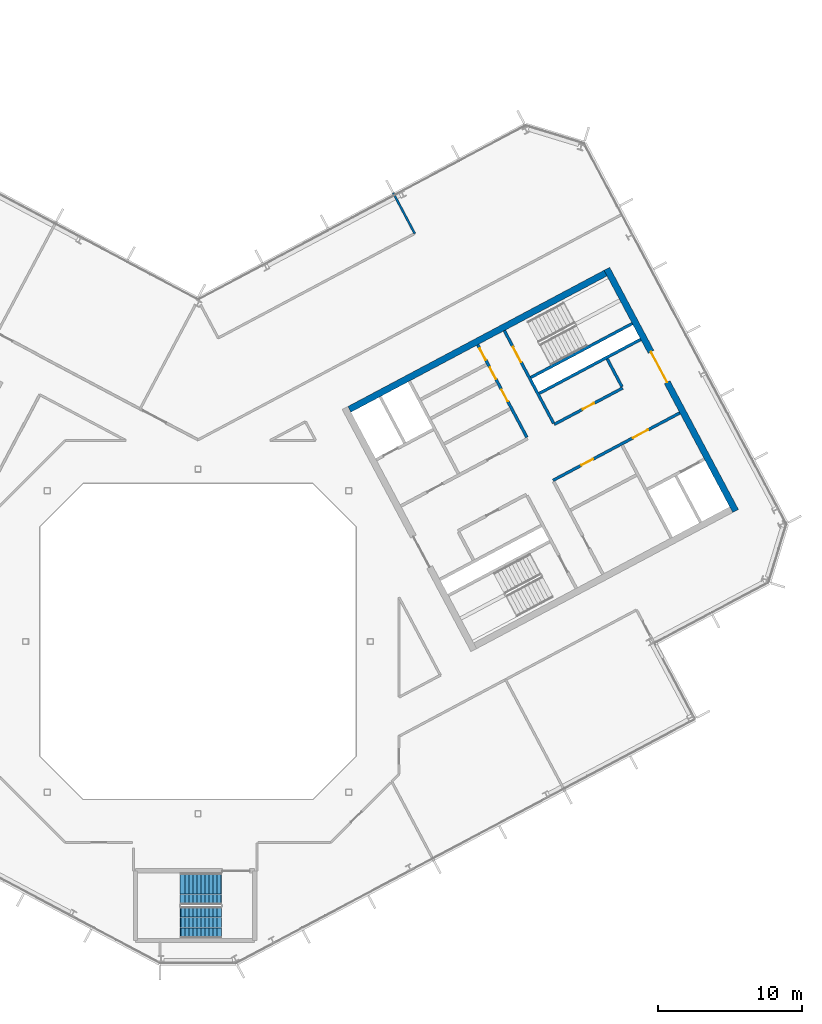
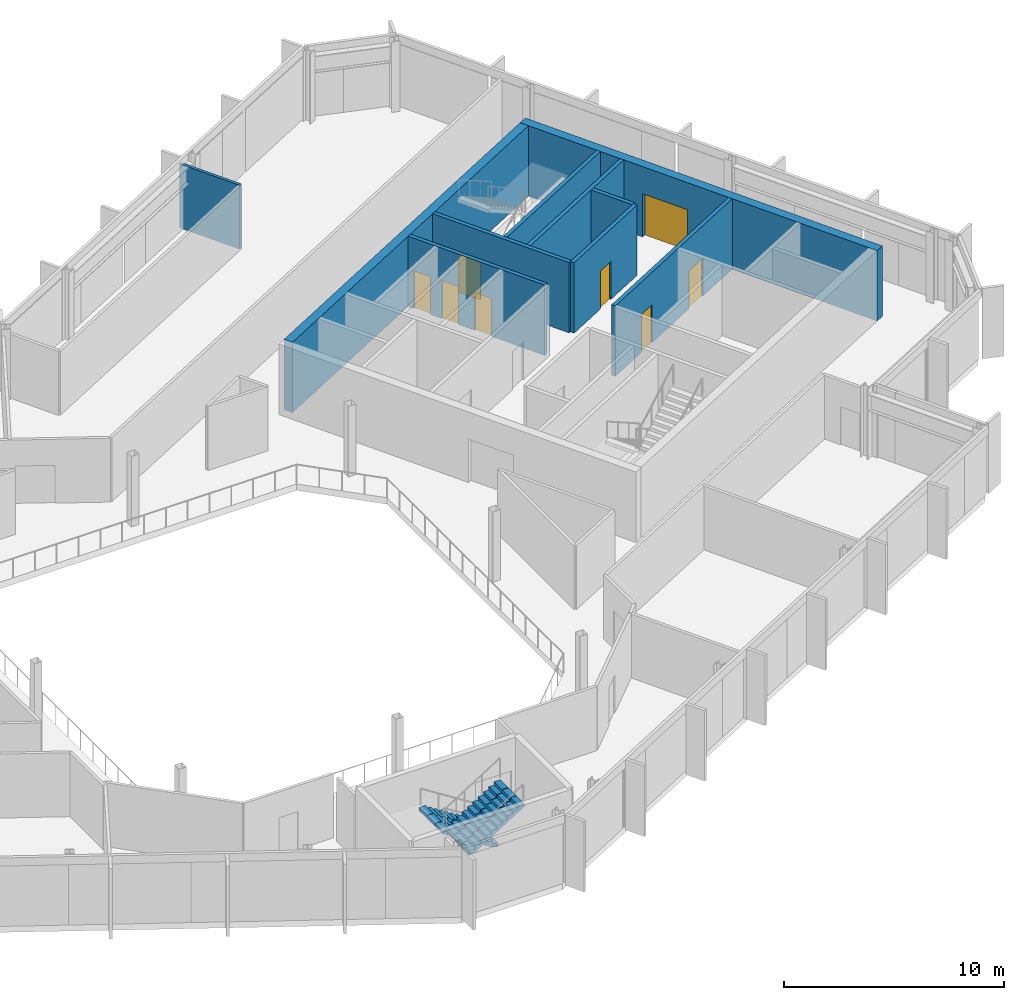
# One storey, part 17 of 26: 10 walls, 8 doors, 2 stair flights, 8 openings, 1 element without a shape of its own.
"""IFC4 building model written with IfcOpenShell, lengths in metres."""

from ifc_helpers import new_model, si_unit, direction, frame, frame_2d, origin, place, context, subcontext, project, spatial, polyline, rectangle, outline, extrude, material, layer, layer_set, type_object, element, fill, aggregate, save


model = new_model("IFC4")

# Units and contexts
model_context = context("Model", 3, precision=1e-05, world=origin(), true_north=direction((0.0, 1.0)))
body_context = subcontext(model_context, "Body", "Model", "MODEL_VIEW")
ifc_project = project(units=[si_unit("LENGTHUNIT", "METRE"), si_unit("AREAUNIT", "SQUARE_METRE"), si_unit("VOLUMEUNIT", "CUBIC_METRE"), si_unit("PLANEANGLEUNIT", "RADIAN"), si_unit("MASSUNIT", "GRAM", prefix="KILO")], contexts=[model_context])

# Site, building, storey
site_placement = place(None, origin())
site = spatial("IfcSite", under=ifc_project, at=site_placement, CompositionType="ELEMENT")
building_placement = place(site_placement, origin())
building = spatial("IfcBuilding", under=site, at=building_placement, Name="Cormorant Relay Tower", CompositionType="ELEMENT")
storey_placement = place(building_placement, frame((0.0, 0.0, 261.89990234375)))
storey = spatial("IfcBuildingStorey", under=building, at=storey_placement, Name="L58", CompositionType="ELEMENT", Elevation=261.89990234375)

# Wall, openings, doors
ifc_material_1 = material(Name="Concrete 50 MPa", Category="concrete")
ifc_layer_1 = layer(ifc_material_1, 0.199951171875)
ifc_layer_set_1 = layer_set([ifc_layer_1], Name="Core shaft wall 200")
wall_type_1 = type_object("IfcWallType", Name="Core shaft wall 200", PredefinedType="SHEAR", material=ifc_layer_set_1)
wall_1_placement = place(storey_placement, frame((22.90625, 14.218017578125, 0.0), z_axis=(0.0, 0.0, 1.0), x_axis=(-0.469480409012, 0.88294288918, 0.0)))
wall_1 = element("IfcWall", 1, at=wall_1_placement, inside=storey, type_object=wall_type_1, Name="L58 core B shaft wall", PredefinedType="SHEAR", context=body_context, shape_type="SweptSolid", body=[
    extrude(rectangle(XDim=7.300048828125, YDim=0.199951171875, at=frame_2d((3.64990234375, 0.0))), origin(), (0.0, 0.0, 1.0), 3.900146484375),
])
opening_1_placement = place(wall_1_placement, frame((2.85009765625, 0.0, 0.0)))
opening_1 = element("IfcOpeningElement", 2, at=opening_1_placement, cuts=wall_1, Name="Opening CDD-299", PredefinedType="OPENING", context=body_context, shape_type="SweptSolid", body=[
    extrude(rectangle(XDim=0.89990234375, YDim=2.10009765625, at=frame_2d((0.449951171875, 1.050048828125))), frame((0.0, 0.10986328125, 0.0), z_axis=(0.0, -1.0, 0.0), x_axis=(1.0, 0.0, 0.0)), (0.0, 0.0, 1.0), 0.219970703125),
])
opening_2_placement = place(wall_1_placement, frame((4.60009765625, 0.0, 0.0)))
opening_2 = element("IfcOpeningElement", 3, at=opening_2_placement, cuts=wall_1, Name="Opening CDD-300", PredefinedType="OPENING", context=body_context, shape_type="SweptSolid", body=[
    extrude(rectangle(XDim=0.89990234375, YDim=2.10009765625, at=frame_2d((0.449951171875, 1.050048828125))), frame((0.0, 0.10986328125, 0.0), z_axis=(0.0, -1.0, 0.0), x_axis=(1.0, 0.0, 0.0)), (0.0, 0.0, 1.0), 0.219970703125),
])
opening_3_placement = place(wall_1_placement, frame((6.10009765625, 0.0, 0.0)))
opening_3 = element("IfcOpeningElement", 4, at=opening_3_placement, cuts=wall_1, Name="Opening CDD-301", PredefinedType="OPENING", context=body_context, shape_type="SweptSolid", body=[
    extrude(rectangle(XDim=0.89990234375, YDim=2.10009765625, at=frame_2d((0.449951171875, 1.050048828125))), frame((0.0, 0.10986328125, 0.0), z_axis=(0.0, -1.0, 0.0), x_axis=(1.0, 0.0, 0.0)), (0.0, 0.0, 1.0), 0.219970703125),
])
ifc_material_2 = material(Name="Steel fire door", Category="steel")
door_type_1 = type_object("IfcDoorType", Name="Core room door 900x2100", OperationType="SINGLE_SWING_LEFT", PredefinedType="DOOR", material=ifc_material_2)
door_1_placement = place(opening_1_placement, origin())
door_1 = element("IfcDoor", 5, at=door_1_placement, inside=storey, type_object=door_type_1, Name="Core room door 900x2100", OperationType="SINGLE_SWING_RIGHT", OverallHeight=2.10009765625, OverallWidth=0.89990234375, PredefinedType="DOOR", context=body_context, shape_type="SweptSolid", body=[
    extrude(rectangle(XDim=0.89990234375, YDim=2.10009765625, at=frame_2d((0.449951171875, 1.050048828125))), frame((0.0, 0.02490234375, 0.0), z_axis=(0.0, -1.0, 0.0), x_axis=(1.0, 0.0, 0.0)), (0.0, 0.0, 1.0), 0.050048828125),
])
fill(opening_1, door_1)
door_2_placement = place(opening_2_placement, origin())
door_2 = element("IfcDoor", 6, at=door_2_placement, inside=storey, type_object=door_type_1, Name="Core room door 900x2100", OperationType="SINGLE_SWING_LEFT", OverallHeight=2.10009765625, OverallWidth=0.89990234375, PredefinedType="DOOR", context=body_context, shape_type="SweptSolid", body=[
    extrude(rectangle(XDim=0.89990234375, YDim=2.10009765625, at=frame_2d((0.449951171875, 1.050048828125))), frame((0.0, 0.02490234375, 0.0), z_axis=(0.0, -1.0, 0.0), x_axis=(1.0, 0.0, 0.0)), (0.0, 0.0, 1.0), 0.050048828125),
])
fill(opening_2, door_2)
door_3_placement = place(opening_3_placement, origin())
door_3 = element("IfcDoor", 7, at=door_3_placement, inside=storey, type_object=door_type_1, Name="Core room door 900x2100", OperationType="SINGLE_SWING_LEFT", OverallHeight=2.10009765625, OverallWidth=0.89990234375, PredefinedType="DOOR", context=body_context, shape_type="SweptSolid", body=[
    extrude(rectangle(XDim=0.89990234375, YDim=2.10009765625, at=frame_2d((0.449951171875, 1.050048828125))), frame((0.0, 0.02490234375, 0.0), z_axis=(0.0, -1.0, 0.0), x_axis=(1.0, 0.0, 0.0)), (0.0, 0.0, 1.0), 0.050048828125),
])
fill(opening_3, door_3)

# Wall, opening, door
wall_2_placement = place(storey_placement, frame((24.760498046875, 15.2041015625, 0.0), z_axis=(0.0, 0.0, 1.0), x_axis=(-0.469494272526, 0.882935517501, 0.0)))
wall_2 = element("IfcWall", 8, at=wall_2_placement, inside=storey, type_object=wall_type_1, Name="L58 core B shaft wall", PredefinedType="SHEAR", context=body_context, shape_type="SweptSolid", body=[
    extrude(rectangle(XDim=7.2998046875, YDim=0.199951171875, at=frame_2d((3.64990234375, 0.0))), origin(), (0.0, 0.0, 1.0), 3.900146484375),
])
opening_4_placement = place(wall_2_placement, frame((4.800048828125, 0.0, 0.0)))
opening_4 = element("IfcOpeningElement", 9, at=opening_4_placement, cuts=wall_2, Name="Opening CDB-041", PredefinedType="OPENING", context=body_context, shape_type="SweptSolid", body=[
    extrude(rectangle(XDim=1.199951171875, YDim=2.10009765625, at=frame_2d((0.60009765625, 1.050048828125))), frame((0.0, 0.10986328125, 0.0), z_axis=(0.0, -1.0, 0.0), x_axis=(1.0, 0.0, 0.0)), (0.0, 0.0, 1.0), 0.219970703125),
])
ifc_material_3 = material(Name="Steel fire door", Category="steel")
door_type_2 = type_object("IfcDoorType", Name="Core stair door 1200x2100", OperationType="SINGLE_SWING_LEFT", PredefinedType="DOOR", material=ifc_material_3)
door_4_placement = place(opening_4_placement, frame((1.199951171875, 0.0, 0.0), z_axis=(0.0, 0.0, 1.0), x_axis=(-1.0, 0.0, 0.0)))
door_4 = element("IfcDoor", 10, at=door_4_placement, inside=storey, type_object=door_type_2, Name="Core stair door 1200x2100", OperationType="SINGLE_SWING_RIGHT", OverallHeight=2.10009765625, OverallWidth=1.199951171875, PredefinedType="DOOR", context=body_context, shape_type="SweptSolid", body=[
    extrude(rectangle(XDim=1.199951171875, YDim=2.10009765625, at=frame_2d((0.60009765625, 1.050048828125))), frame((0.0, 0.02490234375, 0.0), z_axis=(0.0, -1.0, 0.0), x_axis=(1.0, 0.0, 0.0)), (0.0, 0.0, 1.0), 0.050048828125),
])
fill(opening_4, door_4)

# Wall
wall_3_placement = place(storey_placement, frame((29.5283203125, 17.739013671875, 0.0), z_axis=(0.0, 0.0, 1.0), x_axis=(-0.469401318492, 0.882984938828, 0.0)))
element("IfcWall", 11, at=wall_3_placement, inside=storey, type_object=wall_type_1, Name="L58 core B shaft wall", PredefinedType="SHEAR", context=body_context, shape_type="SweptSolid", body=[
    extrude(rectangle(XDim=2.199951171875, YDim=0.199951171875, at=frame_2d((1.10009765625, 0.0))), origin(), (0.0, 0.0, 1.0), 3.900146484375),
])

# Wall, openings, doors
wall_4_placement = place(storey_placement, frame((24.72607421875, 11.2216796875, 0.0), z_axis=(0.0, 0.0, 1.0), x_axis=(0.882940221191, 0.469485426614, 0.0)))
wall_4 = element("IfcWall", 12, at=wall_4_placement, inside=storey, type_object=wall_type_1, Name="L58 core B shaft wall", PredefinedType="SHEAR", context=body_context, shape_type="SweptSolid", body=[
    extrude(rectangle(XDim=10.0, YDim=0.199951171875, at=frame_2d((5.0, 0.0))), origin(), (0.0, 0.0, 1.0), 3.900146484375),
])
opening_5_placement = place(wall_4_placement, frame((6.300048828125, 0.0, 0.0)))
opening_5 = element("IfcOpeningElement", 13, at=opening_5_placement, cuts=wall_4, Name="Opening CDC-038", PredefinedType="OPENING", context=body_context, shape_type="SweptSolid", body=[
    extrude(rectangle(XDim=1.199951171875, YDim=2.10009765625, at=frame_2d((0.60009765625, 1.050048828125))), frame((0.0, 0.10986328125, 0.0), z_axis=(0.0, -1.0, 0.0), x_axis=(1.0, 0.0, 0.0)), (0.0, 0.0, 1.0), 0.219970703125),
])
opening_6_placement = place(wall_4_placement, frame((2.25, 0.0, 0.0)))
opening_6 = element("IfcOpeningElement", 14, at=opening_6_placement, cuts=wall_4, Name="Opening CDD-263", PredefinedType="OPENING", context=body_context, shape_type="SweptSolid", body=[
    extrude(rectangle(XDim=0.89990234375, YDim=2.10009765625, at=frame_2d((0.449951171875, 1.050048828125))), frame((0.0, 0.10986328125, 0.0), z_axis=(0.0, -1.0, 0.0), x_axis=(1.0, 0.0, 0.0)), (0.0, 0.0, 1.0), 0.219970703125),
])
ifc_material_4 = material(Name="Steel fire door", Category="steel")
door_type_3 = type_object("IfcDoorType", Name="Core lobby door 1200x2100", OperationType="SINGLE_SWING_LEFT", PredefinedType="DOOR", material=ifc_material_4)
door_5_placement = place(opening_5_placement, origin())
door_5 = element("IfcDoor", 15, at=door_5_placement, inside=storey, type_object=door_type_3, Name="Core lobby door 1200x2100", OperationType="SINGLE_SWING_LEFT", OverallHeight=2.10009765625, OverallWidth=1.199951171875, PredefinedType="DOOR", context=body_context, shape_type="SweptSolid", body=[
    extrude(rectangle(XDim=1.199951171875, YDim=2.10009765625, at=frame_2d((0.60009765625, 1.050048828125))), frame((0.0, 0.02490234375, 0.0), z_axis=(0.0, -1.0, 0.0), x_axis=(1.0, 0.0, 0.0)), (0.0, 0.0, 1.0), 0.050048828125),
])
fill(opening_5, door_5)
door_6_placement = place(opening_6_placement, frame((0.89990234375, 0.0, 0.0), z_axis=(0.0, 0.0, 1.0), x_axis=(-1.0, 0.0, 0.0)))
door_6 = element("IfcDoor", 16, at=door_6_placement, inside=storey, type_object=door_type_1, Name="Core room door 900x2100", OperationType="SINGLE_SWING_RIGHT", OverallHeight=2.10009765625, OverallWidth=0.89990234375, PredefinedType="DOOR", context=body_context, shape_type="SweptSolid", body=[
    extrude(rectangle(XDim=0.89990234375, YDim=2.10009765625, at=frame_2d((0.449951171875, 1.050048828125))), frame((0.0, 0.02490234375, 0.0), z_axis=(0.0, -1.0, 0.0), x_axis=(1.0, 0.0, 0.0)), (0.0, 0.0, 1.0), 0.050048828125),
])
fill(opening_6, door_6)

# Wall, opening, door
wall_5_placement = place(storey_placement, frame((24.807373046875, 15.11572265625, 0.0), z_axis=(0.0, 0.0, 1.0), x_axis=(0.882942972946, 0.469480251476, 0.0)))
wall_5 = element("IfcWall", 17, at=wall_5_placement, inside=storey, type_object=wall_type_1, Name="L58 core B shaft wall", PredefinedType="SHEAR", context=body_context, shape_type="SweptSolid", body=[
    extrude(rectangle(XDim=5.39990234375, YDim=0.199951171875, at=frame_2d((2.699951171875, 0.0))), origin(), (0.0, 0.0, 1.0), 3.900146484375),
])
opening_7_placement = place(wall_5_placement, frame((2.25, 0.0, 0.0)))
opening_7 = element("IfcOpeningElement", 18, at=opening_7_placement, cuts=wall_5, Name="Opening CDD-261", PredefinedType="OPENING", context=body_context, shape_type="SweptSolid", body=[
    extrude(rectangle(XDim=0.89990234375, YDim=2.10009765625, at=frame_2d((0.449951171875, 1.050048828125))), frame((0.0, 0.10986328125, 0.0), z_axis=(0.0, -1.0, 0.0), x_axis=(1.0, 0.0, 0.0)), (0.0, 0.0, 1.0), 0.219970703125),
])
door_7_placement = place(opening_7_placement, origin())
door_7 = element("IfcDoor", 19, at=door_7_placement, inside=storey, type_object=door_type_1, Name="Core room door 900x2100", OperationType="SINGLE_SWING_LEFT", OverallHeight=2.10009765625, OverallWidth=0.89990234375, PredefinedType="DOOR", context=body_context, shape_type="SweptSolid", body=[
    extrude(rectangle(XDim=0.89990234375, YDim=2.10009765625, at=frame_2d((0.449951171875, 1.050048828125))), frame((0.0, 0.02490234375, 0.0), z_axis=(0.0, -1.0, 0.0), x_axis=(1.0, 0.0, 0.0)), (0.0, 0.0, 1.0), 0.050048828125),
])
fill(opening_7, door_7)

# Walls
wall_6_placement = place(storey_placement, frame((23.76904296875, 17.28173828125, 0.0), z_axis=(0.0, 0.0, 1.0), x_axis=(0.882940221191, 0.469485426614, 0.0)))
element("IfcWall", 20, at=wall_6_placement, inside=storey, type_object=wall_type_1, Name="L58 core B shaft wall", PredefinedType="SHEAR", context=body_context, shape_type="SweptSolid", body=[
    extrude(rectangle(XDim=8.0, YDim=0.199951171875, at=frame_2d((4.0, 0.0))), origin(), (0.0, 0.0, 1.0), 3.900146484375),
])
wall_7_placement = place(storey_placement, frame((23.18212890625, 18.385498046875, 0.0), z_axis=(0.0, 0.0, 1.0), x_axis=(0.88295287151, 0.469461634952, 0.0)))
element("IfcWall", 21, at=wall_7_placement, inside=storey, type_object=wall_type_1, Name="L58 core B shaft wall", PredefinedType="SHEAR", context=body_context, shape_type="SweptSolid", body=[
    extrude(rectangle(XDim=7.999755859375, YDim=0.199951171875, at=frame_2d((4.0, 0.0))), origin(), (0.0, 0.0, 1.0), 3.900146484375),
])

# Wall, opening, door
ifc_material_5 = material(Name="Concrete 50 MPa", Category="concrete")
ifc_layer_2 = layer(ifc_material_5, 0.449951171875)
ifc_layer_set_2 = layer_set([ifc_layer_2], Name="Core wall 450")
wall_type_2 = type_object("IfcWallType", Name="Core wall 450", PredefinedType="SHEAR", material=ifc_layer_set_2)
wall_8_placement = place(storey_placement, frame((37.439453125, 9.0908203125, 0.0), z_axis=(0.0, 0.0, 1.0), x_axis=(-0.469467968382, 0.882949504028, 0.0)))
wall_8 = element("IfcWall", 22, at=wall_8_placement, inside=storey, type_object=wall_type_2, Name="L58 core B wall", PredefinedType="SHEAR", context=body_context, shape_type="SweptSolid", body=[
    extrude(rectangle(XDim=19.099853515625, YDim=0.449951171875, at=frame_2d((9.5498046875, 0.0))), origin(), (0.0, 0.0, 1.0), 3.900146484375),
])
opening_8_placement = place(wall_8_placement, frame((10.14990234375, 0.0, 0.0)))
opening_8 = element("IfcOpeningElement", 23, at=opening_8_placement, cuts=wall_8, Name="Opening CDA-053", PredefinedType="OPENING", context=body_context, shape_type="SweptSolid", body=[
    extrude(rectangle(XDim=2.39990234375, YDim=2.39990234375, at=frame_2d((1.199951171875, 1.199951171875))), frame((0.0, 0.23486328125, 0.0), z_axis=(0.0, -1.0, 0.0), x_axis=(1.0, 0.0, 0.0)), (0.0, 0.0, 1.0), 0.469970703125),
])
ifc_material_6 = material(Name="Steel fire door", Category="steel")
door_type_4 = type_object("IfcDoorType", Name="Core lobby door 2400x2400", OperationType="DOUBLE_DOOR_SINGLE_SWING", PredefinedType="DOOR", material=ifc_material_6)
door_8_placement = place(opening_8_placement, origin())
door_8 = element("IfcDoor", 24, at=door_8_placement, inside=storey, type_object=door_type_4, Name="Core lobby door 2400x2400", OperationType="DOUBLE_DOOR_SINGLE_SWING", OverallHeight=2.39990234375, OverallWidth=2.39990234375, PredefinedType="DOOR", context=body_context, shape_type="SweptSolid", body=[
    extrude(rectangle(XDim=2.39990234375, YDim=2.39990234375, at=frame_2d((1.199951171875, 1.199951171875))), frame((0.0, 0.02490234375, 0.0), z_axis=(0.0, -1.0, 0.0), x_axis=(1.0, 0.0, 0.0)), (0.0, 0.0, 1.0), 0.050048828125),
])
fill(opening_8, door_8)

# Walls
wall_9_placement = place(storey_placement, frame((10.5439453125, 16.16748046875, 0.0), z_axis=(0.0, 0.0, 1.0), x_axis=(0.882947755831, 0.46947125628, 0.0)))
element("IfcWall", 25, at=wall_9_placement, inside=storey, type_object=wall_type_2, Name="L58 core B wall", PredefinedType="SHEAR", context=body_context, shape_type="SweptSolid", body=[
    extrude(rectangle(XDim=20.2001953125, YDim=0.449951171875, at=frame_2d((10.10009765625, 0.0))), origin(), (0.0, 0.0, 1.0), 3.900146484375),
])
ifc_material_7 = material(Name="Gypsum board partition")
ifc_layer_3 = layer(ifc_material_7, 0.14990234375)
ifc_layer_set_3 = layer_set([ifc_layer_3], Name="Tenant partition 150")
wall_type_3 = type_object("IfcWallType", Name="Tenant partition 150", PredefinedType="PARTITIONING", material=ifc_layer_set_3)
wall_10_placement = place(storey_placement, frame((15.093994140625, 28.412109375, 0.0), z_axis=(0.0, 0.0, 1.0), x_axis=(-0.469082703107, 0.883154243406, 0.0)))
element("IfcWall", 26, at=wall_10_placement, inside=storey, type_object=wall_type_3, Name="wall/L58/part/031", PredefinedType="PARTITIONING", context=body_context, shape_type="SweptSolid", body=[
    extrude(rectangle(XDim=3.19970703125, YDim=0.14990234375, at=frame_2d((1.599853515625, 0.0))), origin(), (0.0, 0.0, 1.0), 3.5400390625),
])

# Stair, stair flights
ifc_material_8 = material(Name="Concrete 40 MPa", Category="concrete")
stair_type = type_object("IfcStairType", Name="Remote exit stair 2200", PredefinedType="HALF_TURN_STAIR", material=ifc_material_8)
stair_placement = place(storey_placement, origin())
stair = element("IfcStair", 27, at=stair_placement, inside=storey, type_object=stair_type, Name="L58 Stair", PredefinedType="HALF_TURN_STAIR")
ifc_material_9 = material(Name="Concrete 40 MPa", Category="concrete")
stair_flight_type = type_object("IfcStairFlightType", Name="Remote exit stair flight 2200", PredefinedType="STRAIGHT", material=ifc_material_9)
stair_flight_1_placement = place(storey_placement, frame((1.60009765625, -17.22509765625, 0.0), z_axis=(0.0, 0.0, 1.0), x_axis=(-1.0, 0.0, 0.0)))
stair_flight_1 = element("IfcStairFlight", 28, at=stair_flight_1_placement, type_object=stair_flight_type, Name="RK1 flight 1", NumberOfRisers=11, NumberOfTreads=10, PredefinedType="STRAIGHT", RiserHeight=0.177272727, TreadLength=0.28, context=body_context, shape_type="SweptSolid", body=[
    extrude(outline(polyline([(-0.050048828125, -0.080078125), (-0.050048828125, 0.0), (0.0, 0.0), (0.0, 0.17724609375), (0.280029296875, 0.17724609375), (0.280029296875, 0.3544921875), (0.56005859375, 0.3544921875), (0.56005859375, 0.53173828125), (0.840087890625, 0.53173828125), (0.840087890625, 0.708984375), (1.1201171875, 0.708984375), (1.1201171875, 0.886474609375), (1.39990234375, 0.886474609375), (1.39990234375, 1.063720703125), (1.679931640625, 1.063720703125), (1.679931640625, 1.240966796875), (1.9599609375, 1.240966796875), (1.9599609375, 1.418212890625), (2.239990234375, 1.418212890625), (2.239990234375, 1.595458984375), (2.52001953125, 1.595458984375), (2.52001953125, 1.772705078125), (2.800048828125, 1.772705078125), (2.85009765625, 1.772705078125), (2.85009765625, 1.59521484375), (2.800048828125, 1.59521484375), (0.2802734375, 0.0), (-0.050048828125, -0.080078125)])), frame((0.0, 1.10009765625, 0.0), z_axis=(0.0, -1.0, 0.0), x_axis=(1.0, 0.0, 0.0)), (0.0, 0.0, 1.0), 0.719970703125),
    extrude(outline(polyline([(-0.050048828125, -0.080078125), (-0.050048828125, 0.0), (0.0, 0.0), (0.0, 0.17724609375), (0.280029296875, 0.17724609375), (0.280029296875, 0.3544921875), (0.56005859375, 0.3544921875), (0.56005859375, 0.53173828125), (0.840087890625, 0.53173828125), (0.840087890625, 0.708984375), (1.1201171875, 0.708984375), (1.1201171875, 0.886474609375), (1.39990234375, 0.886474609375), (1.39990234375, 1.063720703125), (1.679931640625, 1.063720703125), (1.679931640625, 1.240966796875), (1.9599609375, 1.240966796875), (1.9599609375, 1.418212890625), (2.239990234375, 1.418212890625), (2.239990234375, 1.595458984375), (2.52001953125, 1.595458984375), (2.52001953125, 1.772705078125), (2.800048828125, 1.772705078125), (2.85009765625, 1.772705078125), (2.85009765625, 1.59521484375), (2.800048828125, 1.59521484375), (0.2802734375, 0.0), (-0.050048828125, -0.080078125)])), frame((0.0, 0.360107421875, 0.0), z_axis=(0.0, -1.0, 0.0), x_axis=(1.0, 0.0, 0.0)), (0.0, 0.0, 1.0), 0.719970703125),
    extrude(outline(polyline([(-0.050048828125, -0.080078125), (-0.050048828125, 0.0), (0.0, 0.0), (0.0, 0.17724609375), (0.280029296875, 0.17724609375), (0.280029296875, 0.3544921875), (0.56005859375, 0.3544921875), (0.56005859375, 0.53173828125), (0.840087890625, 0.53173828125), (0.840087890625, 0.708984375), (1.1201171875, 0.708984375), (1.1201171875, 0.886474609375), (1.39990234375, 0.886474609375), (1.39990234375, 1.063720703125), (1.679931640625, 1.063720703125), (1.679931640625, 1.240966796875), (1.9599609375, 1.240966796875), (1.9599609375, 1.418212890625), (2.239990234375, 1.418212890625), (2.239990234375, 1.595458984375), (2.52001953125, 1.595458984375), (2.52001953125, 1.772705078125), (2.800048828125, 1.772705078125), (2.85009765625, 1.772705078125), (2.85009765625, 1.59521484375), (2.800048828125, 1.59521484375), (0.2802734375, 0.0), (-0.050048828125, -0.080078125)])), frame((0.0, -0.3798828125, 0.0), z_axis=(0.0, -1.0, 0.0), x_axis=(1.0, 0.0, 0.0)), (0.0, 0.0, 1.0), 0.719970703125),
])
stair_flight_2_placement = place(storey_placement, frame((-1.199951171875, -19.574951171875, 1.9501953125), z_axis=(0.0, 0.0, 1.0), x_axis=(1.0, 0.0, 0.0)))
stair_flight_2 = element("IfcStairFlight", 29, at=stair_flight_2_placement, type_object=stair_flight_type, Name="RK1 flight 2", NumberOfRisers=11, NumberOfTreads=10, PredefinedType="STRAIGHT", RiserHeight=0.177272727, TreadLength=0.28, context=body_context, shape_type="SweptSolid", body=[
    extrude(outline(polyline([(-0.050048828125, -0.080078125), (-0.050048828125, 0.0), (0.0, 0.0), (0.0, 0.17724609375), (0.280029296875, 0.17724609375), (0.280029296875, 0.3544921875), (0.56005859375, 0.3544921875), (0.56005859375, 0.53173828125), (0.840087890625, 0.53173828125), (0.840087890625, 0.708984375), (1.1201171875, 0.708984375), (1.1201171875, 0.886474609375), (1.39990234375, 0.886474609375), (1.39990234375, 1.063720703125), (1.679931640625, 1.063720703125), (1.679931640625, 1.240966796875), (1.9599609375, 1.240966796875), (1.9599609375, 1.418212890625), (2.239990234375, 1.418212890625), (2.239990234375, 1.595458984375), (2.52001953125, 1.595458984375), (2.52001953125, 1.772705078125), (2.800048828125, 1.772705078125), (2.85009765625, 1.772705078125), (2.85009765625, 1.59521484375), (2.800048828125, 1.59521484375), (0.2802734375, 0.0), (-0.050048828125, -0.080078125)])), frame((0.0, 1.10009765625, 0.0), z_axis=(0.0, -1.0, 0.0), x_axis=(1.0, 0.0, 0.0)), (0.0, 0.0, 1.0), 0.719970703125),
    extrude(outline(polyline([(-0.050048828125, -0.080078125), (-0.050048828125, 0.0), (0.0, 0.0), (0.0, 0.17724609375), (0.280029296875, 0.17724609375), (0.280029296875, 0.3544921875), (0.56005859375, 0.3544921875), (0.56005859375, 0.53173828125), (0.840087890625, 0.53173828125), (0.840087890625, 0.708984375), (1.1201171875, 0.708984375), (1.1201171875, 0.886474609375), (1.39990234375, 0.886474609375), (1.39990234375, 1.063720703125), (1.679931640625, 1.063720703125), (1.679931640625, 1.240966796875), (1.9599609375, 1.240966796875), (1.9599609375, 1.418212890625), (2.239990234375, 1.418212890625), (2.239990234375, 1.595458984375), (2.52001953125, 1.595458984375), (2.52001953125, 1.772705078125), (2.800048828125, 1.772705078125), (2.85009765625, 1.772705078125), (2.85009765625, 1.59521484375), (2.800048828125, 1.59521484375), (0.2802734375, 0.0), (-0.050048828125, -0.080078125)])), frame((0.0, 0.360107421875, 0.0), z_axis=(0.0, -1.0, 0.0), x_axis=(1.0, 0.0, 0.0)), (0.0, 0.0, 1.0), 0.719970703125),
    extrude(outline(polyline([(-0.050048828125, -0.080078125), (-0.050048828125, 0.0), (0.0, 0.0), (0.0, 0.17724609375), (0.280029296875, 0.17724609375), (0.280029296875, 0.3544921875), (0.56005859375, 0.3544921875), (0.56005859375, 0.53173828125), (0.840087890625, 0.53173828125), (0.840087890625, 0.708984375), (1.1201171875, 0.708984375), (1.1201171875, 0.886474609375), (1.39990234375, 0.886474609375), (1.39990234375, 1.063720703125), (1.679931640625, 1.063720703125), (1.679931640625, 1.240966796875), (1.9599609375, 1.240966796875), (1.9599609375, 1.418212890625), (2.239990234375, 1.418212890625), (2.239990234375, 1.595458984375), (2.52001953125, 1.595458984375), (2.52001953125, 1.772705078125), (2.800048828125, 1.772705078125), (2.85009765625, 1.772705078125), (2.85009765625, 1.59521484375), (2.800048828125, 1.59521484375), (0.2802734375, 0.0), (-0.050048828125, -0.080078125)])), frame((0.0, -0.3798828125, 0.0), z_axis=(0.0, -1.0, 0.0), x_axis=(1.0, 0.0, 0.0)), (0.0, 0.0, 1.0), 0.719970703125),
])
aggregate(stair, [stair_flight_1, stair_flight_2])

save(model, "model.ifc")
